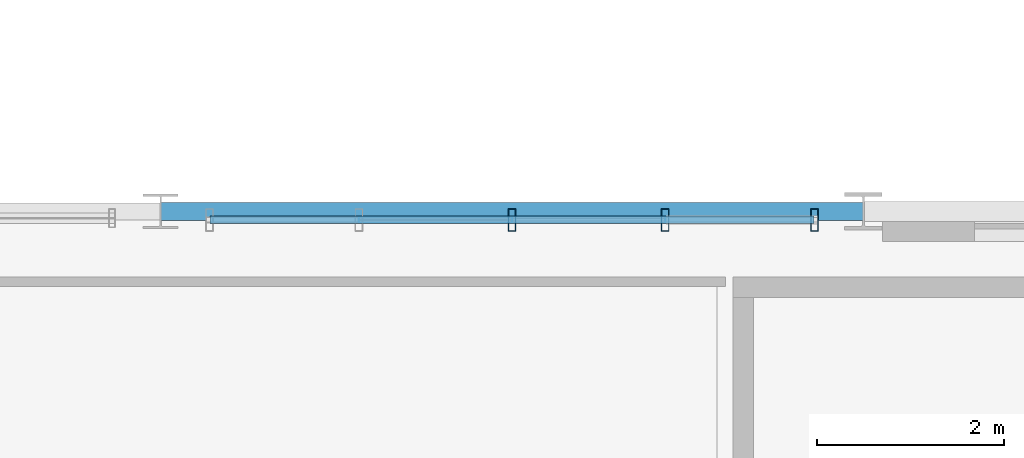
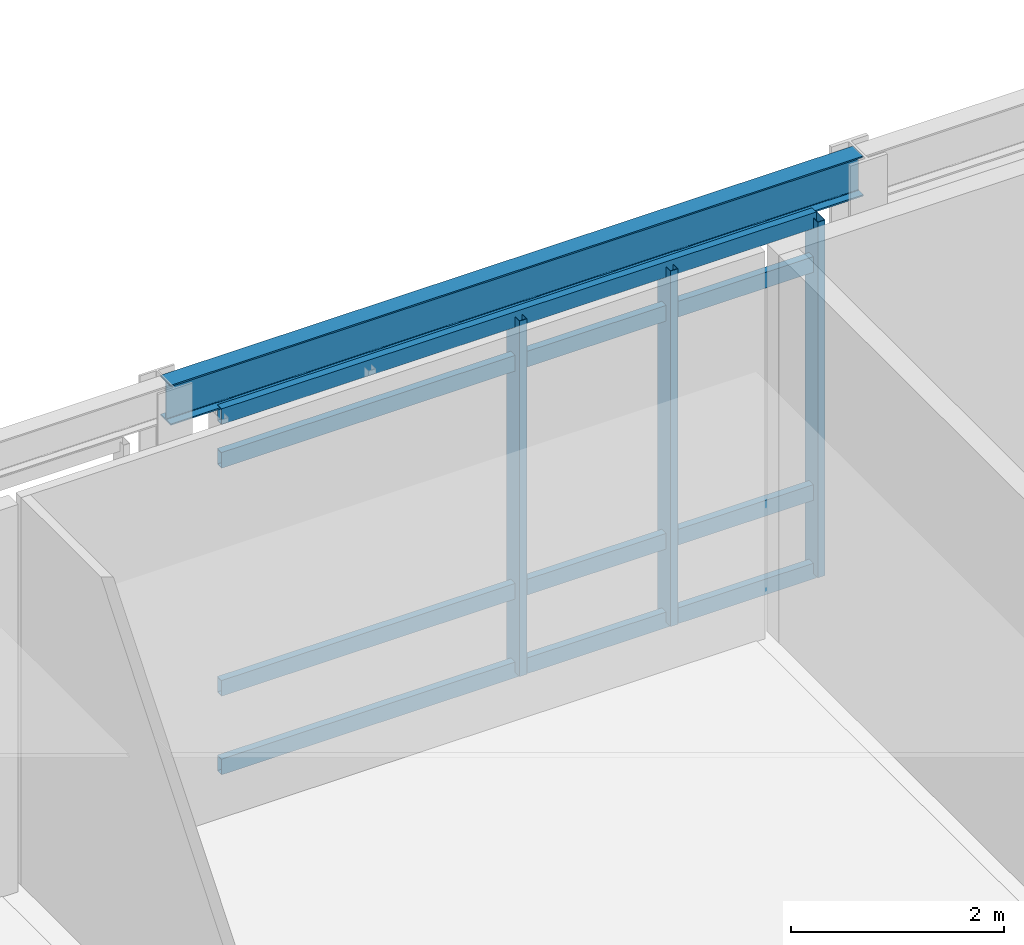
# One storey, part 35 of 200: 7 members, 1 beam, 1 element without a shape of its own.
"""IFC4 building model written with IfcOpenShell, lengths in metres."""

from ifc_helpers import new_model, si_unit, direction, frame, origin, origin_2d, place, context, subcontext, project, spatial, hollow_rectangle, i_section, extrude, material, material_profile, profile_set, type_object, element, aggregate, save


model = new_model("IFC4")

# Units and contexts
model_context = context("Model", 3, precision=1e-05, world=origin(), true_north=direction((0.0, 1.0)))
body_context = subcontext(model_context, "Body", "Model", "MODEL_VIEW")
ifc_project = project(units=[si_unit("LENGTHUNIT", "METRE"), si_unit("AREAUNIT", "SQUARE_METRE"), si_unit("VOLUMEUNIT", "CUBIC_METRE"), si_unit("PLANEANGLEUNIT", "RADIAN"), si_unit("MASSUNIT", "GRAM", prefix="KILO"), si_unit("THERMODYNAMICTEMPERATUREUNIT", "KELVIN"), si_unit("POWERUNIT", "WATT")], contexts=[model_context])

# Site, building, storey
site_placement = place(None, origin())
site = spatial("IfcSite", under=ifc_project, at=site_placement, CompositionType="ELEMENT")
building_placement = place(site_placement, origin())
building = spatial("IfcBuilding", under=site, at=building_placement, Name="Tepalcoro Natatorium and Aquatics Centre", CompositionType="ELEMENT")
storey_placement = place(building_placement, frame((0.0, 0.0, 5.39990234375)))
storey = spatial("IfcBuildingStorey", under=building, at=storey_placement, Name="L01", CompositionType="ELEMENT", Elevation=5.39990234375)

# Curtain wall, members
ifc_material_1 = material(Name="Bronze-Anodised Extruded Aluminium Alloy EN AW-6063 T6", Category="aluminium")
curtain_wall_type = type_object("IfcCurtainWallType", Name="CW_LEAN_T2_NS", PredefinedType="USERDEFINED", material=ifc_material_1)
curtain_wall_placement = place(storey_placement, origin())
curtain_wall = element("IfcCurtainWall", 1, at=curtain_wall_placement, inside=storey, type_object=curtain_wall_type, Name="V3 L01 N Unitised Curtain Wall Bay 3", ObjectType="FACETED SOLAR GLAZING", PredefinedType="USERDEFINED")
ifc_material_profile_1 = material_profile(ifc_material_1, hollow_rectangle(XDim=0.080078125, YDim=0.239990234375, WallThickness=0.0048828125, at=origin_2d()), Name="AL80X240X5")
ifc_profile_set_1 = profile_set([ifc_material_profile_1], Name="Bronze-Anodised Extruded Aluminium Alloy EN AW-6063 T6")
member_type_1 = type_object("IfcMemberType", Name="CW_MUL_80x240", PredefinedType="MULLION", material=ifc_profile_set_1)
member_1_placement = place(storey_placement, frame((24.75, 51.409912109375, 0.02001953125), z_axis=(0.0, 0.0, 1.0), x_axis=(1.0, 0.0, 0.0)))
member_1 = element("IfcMember", 2, at=member_1_placement, type_object=member_type_1, Name="CW_LEAN_T2_NS Curtain Wall Mullion", PredefinedType="MULLION", context=body_context, shape_type="SweptSolid", body=[
    extrude(hollow_rectangle(XDim=0.080078125, YDim=0.239990234375, WallThickness=0.0048828125, at=origin_2d()), origin(), (0.0, 0.0, 1.0), 4.070068359375),
])
member_2_placement = place(storey_placement, frame((26.385009765625, 51.409912109375, 0.02001953125), z_axis=(0.0, 0.0, 1.0), x_axis=(1.0, 0.0, 0.0)))
member_2 = element("IfcMember", 3, at=member_2_placement, type_object=member_type_1, Name="CW_LEAN_T2_NS Curtain Wall Mullion", PredefinedType="MULLION", context=body_context, shape_type="SweptSolid", body=[
    extrude(hollow_rectangle(XDim=0.080078125, YDim=0.239990234375, WallThickness=0.0048828125, at=origin_2d()), origin(), (0.0, 0.0, 1.0), 4.070068359375),
])
member_3_placement = place(storey_placement, frame((27.97998046875, 51.409912109375, 0.02001953125), z_axis=(0.0, 0.0, 1.0), x_axis=(1.0, 0.0, 0.0)))
member_3 = element("IfcMember", 4, at=member_3_placement, type_object=member_type_1, Name="CW_LEAN_T2_NS Curtain Wall Mullion", PredefinedType="MULLION", context=body_context, shape_type="SweptSolid", body=[
    extrude(hollow_rectangle(XDim=0.080078125, YDim=0.239990234375, WallThickness=0.0048828125, at=origin_2d()), origin(), (0.0, 0.0, 1.0), 4.070068359375),
])
ifc_material_profile_2 = material_profile(ifc_material_1, hollow_rectangle(XDim=0.080078125, YDim=0.179931640625, WallThickness=0.0048828125, at=origin_2d()), Name="AL80X180X5")
ifc_profile_set_2 = profile_set([ifc_material_profile_2], Name="Bronze-Anodised Extruded Aluminium Alloy EN AW-6063 T6")
member_type_2 = type_object("IfcMemberType", Name="CW_TRN_80x180", PredefinedType="USERDEFINED", material=ifc_profile_set_2)
member_4_placement = place(storey_placement, frame((21.530029296875, 51.409912109375, 0.050048828125), z_axis=(1.0, 0.0, 0.0), x_axis=(0.0, 1.0, 0.0)))
member_4 = element("IfcMember", 5, at=member_4_placement, type_object=member_type_2, Name="CW_LEAN_T2_NS Curtain Wall Transom", ObjectType="TRANSOM", PredefinedType="USERDEFINED", context=body_context, shape_type="SweptSolid", body=[
    extrude(hollow_rectangle(XDim=0.080078125, YDim=0.179931640625, WallThickness=0.0048828125, at=origin_2d()), origin(), (0.0, 0.0, 1.0), 6.43994140625),
])
member_5_placement = place(storey_placement, frame((21.530029296875, 51.409912109375, 0.9501953125), z_axis=(1.0, 0.0, 0.0), x_axis=(0.0, 1.0, 0.0)))
member_5 = element("IfcMember", 6, at=member_5_placement, type_object=member_type_2, Name="CW_LEAN_T2_NS Curtain Wall Transom", ObjectType="TRANSOM", PredefinedType="USERDEFINED", context=body_context, shape_type="SweptSolid", body=[
    extrude(hollow_rectangle(XDim=0.080078125, YDim=0.179931640625, WallThickness=0.0048828125, at=origin_2d()), origin(), (0.0, 0.0, 1.0), 6.43994140625),
])
member_6_placement = place(storey_placement, frame((21.530029296875, 51.409912109375, 3.56005859375), z_axis=(1.0, 0.0, 0.0), x_axis=(0.0, 1.0, 0.0)))
member_6 = element("IfcMember", 7, at=member_6_placement, type_object=member_type_2, Name="CW_LEAN_T2_NS Curtain Wall Transom", ObjectType="TRANSOM", PredefinedType="USERDEFINED", context=body_context, shape_type="SweptSolid", body=[
    extrude(hollow_rectangle(XDim=0.080078125, YDim=0.179931640625, WallThickness=0.0048828125, at=origin_2d()), origin(), (0.0, 0.0, 1.0), 6.43994140625),
])
member_7_placement = place(storey_placement, frame((21.530029296875, 51.409912109375, 4.06005859375), z_axis=(1.0, 0.0, 0.0), x_axis=(0.0, 1.0, 0.0)))
member_7 = element("IfcMember", 8, at=member_7_placement, type_object=member_type_2, Name="CW_LEAN_T2_NS Curtain Wall Transom", ObjectType="TRANSOM", PredefinedType="USERDEFINED", context=body_context, shape_type="SweptSolid", body=[
    extrude(hollow_rectangle(XDim=0.080078125, YDim=0.179931640625, WallThickness=0.0048828125, at=origin_2d()), origin(), (0.0, 0.0, 1.0), 6.43994140625),
])
aggregate(curtain_wall, [member_1, member_2, member_3, member_4, member_5, member_6, member_7])

# Beam
ifc_material_2 = material(Name="Steel ASTM A992 Grade 50 (Fy 345 MPa)", Category="steel")
ifc_material_profile_3 = material_profile(ifc_material_2, i_section(OverallWidth=0.19091796875, OverallDepth=0.4599609375, WebThickness=0.010009765625, FlangeThickness=0.01611328125, FilletRadius=0.013916015625, at=origin_2d()), Name="W18X55")
ifc_profile_set_3 = profile_set([ifc_material_profile_3], Name="Steel ASTM A992 Grade 50 (Fy 345 MPa)")
beam_type = type_object("IfcBeamType", Name="SP_W18x55", PredefinedType="SPANDREL", material=ifc_profile_set_3)
beam_placement = place(storey_placement, frame((21.0, 51.5, 4.35498046875), z_axis=(1.0, 0.0, 0.0), x_axis=(0.0, 1.0, 0.0)))
element("IfcBeam", 9, at=beam_placement, inside=storey, type_object=beam_type, Name="V3 L01 Grid Girder X", PredefinedType="SPANDREL", context=body_context, shape_type="SweptSolid", body=[
    extrude(i_section(OverallWidth=0.19091796875, OverallDepth=0.4599609375, WebThickness=0.010009765625, FlangeThickness=0.01611328125, FilletRadius=0.013916015625, at=origin_2d()), origin(), (0.0, 0.0, 1.0), 7.5),
])

save(model, "model.ifc")
